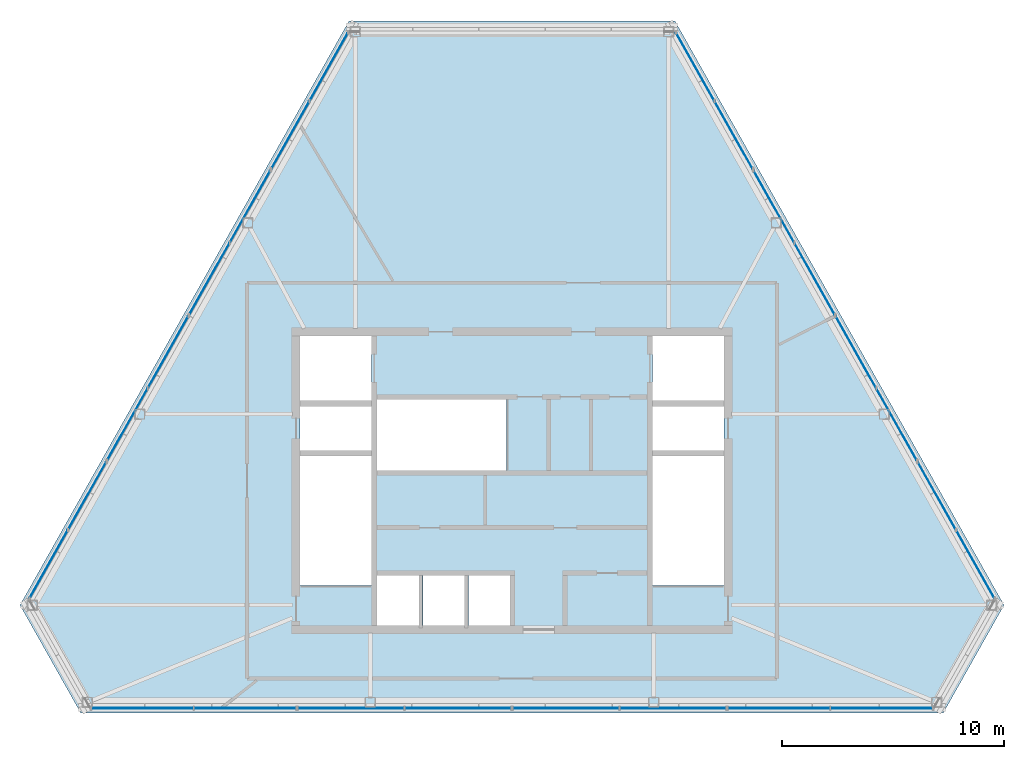
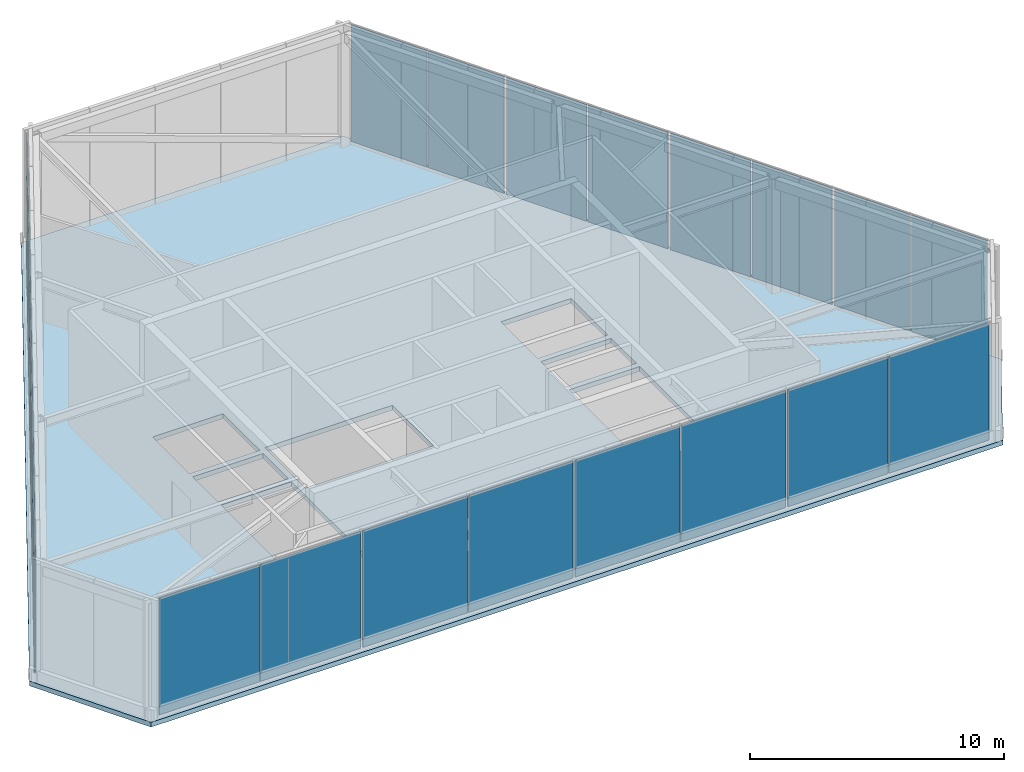
# One storey, part 6 of 11: 24 plates, 1 slab, 12 elements without a shape of their own.
"""IFC4 building model written with IfcOpenShell, lengths in metres."""

from ifc_helpers import new_model, si_unit, direction, frame, origin, origin_2d, place, context, subcontext, project, spatial, polyline, rectangle, outline, extrude, material, layer, layer_set, type_object, element, aggregate, save


model = new_model("IFC4")

# Units and contexts
model_context = context("Model", 3, precision=1e-05, world=origin(), true_north=direction((0.0, 1.0)))
body_context = subcontext(model_context, "Body", "Model", "MODEL_VIEW")
ifc_project = project(units=[si_unit("LENGTHUNIT", "METRE"), si_unit("AREAUNIT", "SQUARE_METRE"), si_unit("VOLUMEUNIT", "CUBIC_METRE"), si_unit("PLANEANGLEUNIT", "RADIAN"), si_unit("MASSUNIT", "GRAM", prefix="KILO")], contexts=[model_context])

# Site, building, storey
site_placement = place(None, origin())
site = spatial("IfcSite", under=ifc_project, at=site_placement, CompositionType="ELEMENT")
building_placement = place(site_placement, origin())
building = spatial("IfcBuilding", under=site, at=building_placement, Name="Kavelnor Concourse Tower", CompositionType="ELEMENT")
storey_placement = place(building_placement, frame((0.0, 0.0, 309.949951171875)))
storey = spatial("IfcBuildingStorey", under=building, at=storey_placement, Name="L78", CompositionType="ELEMENT", Elevation=309.949951171875)

# Curtain wall, plates
ifc_material_1 = material(Name="Anodised aluminium 6063-T6", Category="aluminium")
ifc_layer_1 = layer(ifc_material_1, 0.1650390625, Name="Anodised aluminium 6063-T6")
ifc_layer_set_1 = layer_set([ifc_layer_1], Name="Anodised aluminium 6063-T6")
curtain_wall_type = type_object("IfcCurtainWallType", Name="CW-CROWN-SCREEN", PredefinedType="NOTDEFINED", material=ifc_layer_set_1)
curtain_wall_1_placement = place(storey_placement, origin())
curtain_wall_1 = element("IfcCurtainWall", 1, at=curtain_wall_1_placement, inside=storey, type_object=curtain_wall_type, Name="L78 Crown Fritted Screen Curtain Wall E1-S1", PredefinedType="NOTDEFINED")
ifc_material_2 = material(Name="Double low-E argon insulated glazing", Category="glass")
ifc_layer_2 = layer(ifc_material_2, 0.028076171875, Name="Double low-E argon insulated glazing")
ifc_layer_set_2 = layer_set([ifc_layer_2], Name="Double low-E argon insulated glazing")
plate_type = type_object("IfcPlateType", Name="CW-CROWN-SCREEN-PANEL", PredefinedType="CURTAIN_PANEL", material=ifc_layer_set_2)
plate_1_placement = place(storey_placement, frame((29.766357421875, 34.70263671875, 0.06005859375), z_axis=(0.0, 0.0, 1.0), x_axis=(-0.490751690644, -0.871299476719, 0.0)))
plate_1 = element("IfcPlate", 2, at=plate_1_placement, type_object=plate_type, Name="L78 Crown Fritted Screen Curtain Wall E1-S1 Vision Panel 1", PredefinedType="CURTAIN_PANEL", context=body_context, shape_type="SweptSolid", body=[
    extrude(rectangle(XDim=3.4716796875, YDim=0.028076171875, at=origin_2d()), origin(), (0.0, 0.0, 1.0), 5.610107421875),
])
plate_2_placement = place(storey_placement, frame((28.0361328125, 31.630615234375, 0.06005859375), z_axis=(0.0, 0.0, 1.0), x_axis=(-0.490751690644, -0.871299476719, 0.0)))
plate_2 = element("IfcPlate", 3, at=plate_2_placement, type_object=plate_type, Name="L78 Crown Fritted Screen Curtain Wall E1-S1 Vision Panel 2", PredefinedType="CURTAIN_PANEL", context=body_context, shape_type="SweptSolid", body=[
    extrude(rectangle(XDim=3.4716796875, YDim=0.028076171875, at=origin_2d()), origin(), (0.0, 0.0, 1.0), 5.610107421875),
])
aggregate(curtain_wall_1, [plate_1, plate_2])

curtain_wall_2_placement = place(storey_placement, origin())
curtain_wall_2 = element("IfcCurtainWall", 4, at=curtain_wall_2_placement, inside=storey, type_object=curtain_wall_type, Name="L78 Crown Fritted Screen Curtain Wall E1-S2", PredefinedType="NOTDEFINED")
plate_3_placement = place(storey_placement, frame((26.2275390625, 28.41943359375, 0.06005859375), z_axis=(0.0, 0.0, 1.0), x_axis=(-0.490751690644, -0.871299476719, 0.0)))
plate_3 = element("IfcPlate", 5, at=plate_3_placement, type_object=plate_type, Name="L78 Crown Fritted Screen Curtain Wall E1-S2 Vision Panel 1", PredefinedType="CURTAIN_PANEL", context=body_context, shape_type="SweptSolid", body=[
    extrude(rectangle(XDim=3.671630859375, YDim=0.028076171875, at=origin_2d()), origin(), (0.0, 0.0, 1.0), 5.610107421875),
])
plate_4_placement = place(storey_placement, frame((24.399169921875, 25.173095703125, 0.06005859375), z_axis=(0.0, 0.0, 1.0), x_axis=(-0.490751690644, -0.871299476719, 0.0)))
plate_4 = element("IfcPlate", 6, at=plate_4_placement, type_object=plate_type, Name="L78 Crown Fritted Screen Curtain Wall E1-S2 Vision Panel 2", PredefinedType="CURTAIN_PANEL", context=body_context, shape_type="SweptSolid", body=[
    extrude(rectangle(XDim=3.671630859375, YDim=0.028076171875, at=origin_2d()), origin(), (0.0, 0.0, 1.0), 5.610107421875),
])
aggregate(curtain_wall_2, [plate_3, plate_4])

curtain_wall_3_placement = place(storey_placement, origin())
curtain_wall_3 = element("IfcCurtainWall", 7, at=curtain_wall_3_placement, inside=storey, type_object=curtain_wall_type, Name="L78 Crown Fritted Screen Curtain Wall E1-S3", PredefinedType="NOTDEFINED")
plate_5_placement = place(storey_placement, frame((22.54150390625, 21.874755859375, 0.06005859375), z_axis=(0.0, 0.0, 1.0), x_axis=(-0.490751690644, -0.871299476719, 0.0)))
plate_5 = element("IfcPlate", 8, at=plate_5_placement, type_object=plate_type, Name="L78 Crown Fritted Screen Curtain Wall E1-S3 Vision Panel 1", PredefinedType="CURTAIN_PANEL", context=body_context, shape_type="SweptSolid", body=[
    extrude(rectangle(XDim=3.671630859375, YDim=0.028076171875, at=origin_2d()), origin(), (0.0, 0.0, 1.0), 5.610107421875),
])
plate_6_placement = place(storey_placement, frame((20.713134765625, 18.62841796875, 0.06005859375), z_axis=(0.0, 0.0, 1.0), x_axis=(-0.490751690644, -0.871299476719, 0.0)))
plate_6 = element("IfcPlate", 9, at=plate_6_placement, type_object=plate_type, Name="L78 Crown Fritted Screen Curtain Wall E1-S3 Vision Panel 2", PredefinedType="CURTAIN_PANEL", context=body_context, shape_type="SweptSolid", body=[
    extrude(rectangle(XDim=3.671630859375, YDim=0.028076171875, at=origin_2d()), origin(), (0.0, 0.0, 1.0), 5.610107421875),
])
aggregate(curtain_wall_3, [plate_5, plate_6])

curtain_wall_4_placement = place(storey_placement, origin())
curtain_wall_4 = element("IfcCurtainWall", 10, at=curtain_wall_4_placement, inside=storey, type_object=curtain_wall_type, Name="L78 Crown Fritted Screen Curtain Wall E1-S4", PredefinedType="NOTDEFINED")
plate_7_placement = place(storey_placement, frame((18.904296875, 15.4169921875, 0.06005859375), z_axis=(0.0, 0.0, 1.0), x_axis=(-0.490751690644, -0.871299476719, 0.0)))
plate_7 = element("IfcPlate", 11, at=plate_7_placement, type_object=plate_type, Name="L78 Crown Fritted Screen Curtain Wall E1-S4 Vision Panel 1", PredefinedType="CURTAIN_PANEL", context=body_context, shape_type="SweptSolid", body=[
    extrude(rectangle(XDim=3.4716796875, YDim=0.028076171875, at=origin_2d()), origin(), (0.0, 0.0, 1.0), 5.610107421875),
])
plate_8_placement = place(storey_placement, frame((17.17431640625, 12.34521484375, 0.06005859375), z_axis=(0.0, 0.0, 1.0), x_axis=(-0.490751690644, -0.871299476719, 0.0)))
plate_8 = element("IfcPlate", 12, at=plate_8_placement, type_object=plate_type, Name="L78 Crown Fritted Screen Curtain Wall E1-S4 Vision Panel 2", PredefinedType="CURTAIN_PANEL", context=body_context, shape_type="SweptSolid", body=[
    extrude(rectangle(XDim=3.4716796875, YDim=0.028076171875, at=origin_2d()), origin(), (0.0, 0.0, 1.0), 5.610107421875),
])
aggregate(curtain_wall_4, [plate_7, plate_8])

curtain_wall_5_placement = place(storey_placement, origin())
curtain_wall_5 = element("IfcCurtainWall", 13, at=curtain_wall_5_placement, inside=storey, type_object=curtain_wall_type, Name="L78 Crown Fritted Screen Curtain Wall E3-S1", PredefinedType="NOTDEFINED")
plate_9_placement = place(storey_placement, frame((21.392333984375, 5.875, 0.06005859375), z_axis=(0.0, 0.0, 1.0), x_axis=(1.0, 0.0, 0.0)))
plate_9 = element("IfcPlate", 14, at=plate_9_placement, type_object=plate_type, Name="L78 Crown Fritted Screen Curtain Wall E3-S1 Vision Panel 1", PredefinedType="CURTAIN_PANEL", context=body_context, shape_type="SweptSolid", body=[
    extrude(rectangle(XDim=4.551025390625, YDim=0.028076171875, at=origin_2d()), origin(), (0.0, 0.0, 1.0), 5.610107421875),
])
plate_10_placement = place(storey_placement, frame((25.997314453125, 5.875, 0.06005859375), z_axis=(0.0, 0.0, 1.0), x_axis=(1.0, 0.0, 0.0)))
plate_10 = element("IfcPlate", 15, at=plate_10_placement, type_object=plate_type, Name="L78 Crown Fritted Screen Curtain Wall E3-S1 Vision Panel 2", PredefinedType="CURTAIN_PANEL", context=body_context, shape_type="SweptSolid", body=[
    extrude(rectangle(XDim=4.551025390625, YDim=0.028076171875, at=origin_2d()), origin(), (0.0, 0.0, 1.0), 5.610107421875),
])
aggregate(curtain_wall_5, [plate_9, plate_10])

curtain_wall_6_placement = place(storey_placement, origin())
curtain_wall_6 = element("IfcCurtainWall", 16, at=curtain_wall_6_placement, inside=storey, type_object=curtain_wall_type, Name="L78 Crown Fritted Screen Curtain Wall E3-S2", PredefinedType="NOTDEFINED")
plate_11_placement = place(storey_placement, frame((30.762451171875, 5.875, 0.06005859375), z_axis=(0.0, 0.0, 1.0), x_axis=(1.0, 0.0, 0.0)))
plate_11 = element("IfcPlate", 17, at=plate_11_placement, type_object=plate_type, Name="L78 Crown Fritted Screen Curtain Wall E3-S2 Vision Panel 1", PredefinedType="CURTAIN_PANEL", context=body_context, shape_type="SweptSolid", body=[
    extrude(rectangle(XDim=4.7509765625, YDim=0.028076171875, at=origin_2d()), origin(), (0.0, 0.0, 1.0), 5.610107421875),
])
plate_12_placement = place(storey_placement, frame((35.5673828125, 5.875, 0.06005859375), z_axis=(0.0, 0.0, 1.0), x_axis=(1.0, 0.0, 0.0)))
plate_12 = element("IfcPlate", 18, at=plate_12_placement, type_object=plate_type, Name="L78 Crown Fritted Screen Curtain Wall E3-S2 Vision Panel 2", PredefinedType="CURTAIN_PANEL", context=body_context, shape_type="SweptSolid", body=[
    extrude(rectangle(XDim=4.7509765625, YDim=0.028076171875, at=origin_2d()), origin(), (0.0, 0.0, 1.0), 5.610107421875),
])
aggregate(curtain_wall_6, [plate_11, plate_12])

curtain_wall_7_placement = place(storey_placement, origin())
curtain_wall_7 = element("IfcCurtainWall", 19, at=curtain_wall_7_placement, inside=storey, type_object=curtain_wall_type, Name="L78 Crown Fritted Screen Curtain Wall E3-S3", PredefinedType="NOTDEFINED")
plate_13_placement = place(storey_placement, frame((40.4326171875, 5.875, 0.06005859375), z_axis=(0.0, 0.0, 1.0), x_axis=(1.0, 0.0, 0.0)))
plate_13 = element("IfcPlate", 20, at=plate_13_placement, type_object=plate_type, Name="L78 Crown Fritted Screen Curtain Wall E3-S3 Vision Panel 1", PredefinedType="CURTAIN_PANEL", context=body_context, shape_type="SweptSolid", body=[
    extrude(rectangle(XDim=4.7509765625, YDim=0.028076171875, at=origin_2d()), origin(), (0.0, 0.0, 1.0), 5.610107421875),
])
plate_14_placement = place(storey_placement, frame((45.237548828125, 5.875, 0.06005859375), z_axis=(0.0, 0.0, 1.0), x_axis=(1.0, 0.0, 0.0)))
plate_14 = element("IfcPlate", 21, at=plate_14_placement, type_object=plate_type, Name="L78 Crown Fritted Screen Curtain Wall E3-S3 Vision Panel 2", PredefinedType="CURTAIN_PANEL", context=body_context, shape_type="SweptSolid", body=[
    extrude(rectangle(XDim=4.7509765625, YDim=0.028076171875, at=origin_2d()), origin(), (0.0, 0.0, 1.0), 5.610107421875),
])
aggregate(curtain_wall_7, [plate_13, plate_14])

curtain_wall_8_placement = place(storey_placement, origin())
curtain_wall_8 = element("IfcCurtainWall", 22, at=curtain_wall_8_placement, inside=storey, type_object=curtain_wall_type, Name="L78 Crown Fritted Screen Curtain Wall E3-S4", PredefinedType="NOTDEFINED")
plate_15_placement = place(storey_placement, frame((50.002685546875, 5.875, 0.06005859375), z_axis=(0.0, 0.0, 1.0), x_axis=(1.0, 0.0, 0.0)))
plate_15 = element("IfcPlate", 23, at=plate_15_placement, type_object=plate_type, Name="L78 Crown Fritted Screen Curtain Wall E3-S4 Vision Panel 1", PredefinedType="CURTAIN_PANEL", context=body_context, shape_type="SweptSolid", body=[
    extrude(rectangle(XDim=4.551025390625, YDim=0.028076171875, at=origin_2d()), origin(), (0.0, 0.0, 1.0), 5.610107421875),
])
plate_16_placement = place(storey_placement, frame((54.607666015625, 5.875, 0.06005859375), z_axis=(0.0, 0.0, 1.0), x_axis=(1.0, 0.0, 0.0)))
plate_16 = element("IfcPlate", 24, at=plate_16_placement, type_object=plate_type, Name="L78 Crown Fritted Screen Curtain Wall E3-S4 Vision Panel 2", PredefinedType="CURTAIN_PANEL", context=body_context, shape_type="SweptSolid", body=[
    extrude(rectangle(XDim=4.551025390625, YDim=0.028076171875, at=origin_2d()), origin(), (0.0, 0.0, 1.0), 5.610107421875),
])
aggregate(curtain_wall_8, [plate_15, plate_16])

curtain_wall_9_placement = place(storey_placement, origin())
curtain_wall_9 = element("IfcCurtainWall", 25, at=curtain_wall_9_placement, inside=storey, type_object=curtain_wall_type, Name="L78 Crown Fritted Screen Curtain Wall E5-S1", PredefinedType="NOTDEFINED")
plate_17_placement = place(storey_placement, frame((58.82568359375, 12.34521484375, 0.06005859375), z_axis=(0.0, 0.0, 1.0), x_axis=(-0.490751690644, 0.871299476719, 0.0)))
plate_17 = element("IfcPlate", 26, at=plate_17_placement, type_object=plate_type, Name="L78 Crown Fritted Screen Curtain Wall E5-S1 Vision Panel 1", PredefinedType="CURTAIN_PANEL", context=body_context, shape_type="SweptSolid", body=[
    extrude(rectangle(XDim=3.4716796875, YDim=0.028076171875, at=origin_2d()), origin(), (0.0, 0.0, 1.0), 5.610107421875),
])
plate_18_placement = place(storey_placement, frame((57.095703125, 15.4169921875, 0.06005859375), z_axis=(0.0, 0.0, 1.0), x_axis=(-0.490751690644, 0.871299476719, 0.0)))
plate_18 = element("IfcPlate", 27, at=plate_18_placement, type_object=plate_type, Name="L78 Crown Fritted Screen Curtain Wall E5-S1 Vision Panel 2", PredefinedType="CURTAIN_PANEL", context=body_context, shape_type="SweptSolid", body=[
    extrude(rectangle(XDim=3.4716796875, YDim=0.028076171875, at=origin_2d()), origin(), (0.0, 0.0, 1.0), 5.610107421875),
])
aggregate(curtain_wall_9, [plate_17, plate_18])

curtain_wall_10_placement = place(storey_placement, origin())
curtain_wall_10 = element("IfcCurtainWall", 28, at=curtain_wall_10_placement, inside=storey, type_object=curtain_wall_type, Name="L78 Crown Fritted Screen Curtain Wall E5-S2", PredefinedType="NOTDEFINED")
plate_19_placement = place(storey_placement, frame((55.286865234375, 18.62841796875, 0.06005859375), z_axis=(0.0, 0.0, 1.0), x_axis=(-0.490751690644, 0.871299476719, 0.0)))
plate_19 = element("IfcPlate", 29, at=plate_19_placement, type_object=plate_type, Name="L78 Crown Fritted Screen Curtain Wall E5-S2 Vision Panel 1", PredefinedType="CURTAIN_PANEL", context=body_context, shape_type="SweptSolid", body=[
    extrude(rectangle(XDim=3.671630859375, YDim=0.028076171875, at=origin_2d()), origin(), (0.0, 0.0, 1.0), 5.610107421875),
])
plate_20_placement = place(storey_placement, frame((53.45849609375, 21.874755859375, 0.06005859375), z_axis=(0.0, 0.0, 1.0), x_axis=(-0.490751690644, 0.871299476719, 0.0)))
plate_20 = element("IfcPlate", 30, at=plate_20_placement, type_object=plate_type, Name="L78 Crown Fritted Screen Curtain Wall E5-S2 Vision Panel 2", PredefinedType="CURTAIN_PANEL", context=body_context, shape_type="SweptSolid", body=[
    extrude(rectangle(XDim=3.671630859375, YDim=0.028076171875, at=origin_2d()), origin(), (0.0, 0.0, 1.0), 5.610107421875),
])
aggregate(curtain_wall_10, [plate_19, plate_20])

curtain_wall_11_placement = place(storey_placement, origin())
curtain_wall_11 = element("IfcCurtainWall", 31, at=curtain_wall_11_placement, inside=storey, type_object=curtain_wall_type, Name="L78 Crown Fritted Screen Curtain Wall E5-S3", PredefinedType="NOTDEFINED")
plate_21_placement = place(storey_placement, frame((51.600830078125, 25.173095703125, 0.06005859375), z_axis=(0.0, 0.0, 1.0), x_axis=(-0.490751690644, 0.871299476719, 0.0)))
plate_21 = element("IfcPlate", 32, at=plate_21_placement, type_object=plate_type, Name="L78 Crown Fritted Screen Curtain Wall E5-S3 Vision Panel 1", PredefinedType="CURTAIN_PANEL", context=body_context, shape_type="SweptSolid", body=[
    extrude(rectangle(XDim=3.671630859375, YDim=0.028076171875, at=origin_2d()), origin(), (0.0, 0.0, 1.0), 5.610107421875),
])
plate_22_placement = place(storey_placement, frame((49.7724609375, 28.41943359375, 0.06005859375), z_axis=(0.0, 0.0, 1.0), x_axis=(-0.490751690644, 0.871299476719, 0.0)))
plate_22 = element("IfcPlate", 33, at=plate_22_placement, type_object=plate_type, Name="L78 Crown Fritted Screen Curtain Wall E5-S3 Vision Panel 2", PredefinedType="CURTAIN_PANEL", context=body_context, shape_type="SweptSolid", body=[
    extrude(rectangle(XDim=3.671630859375, YDim=0.028076171875, at=origin_2d()), origin(), (0.0, 0.0, 1.0), 5.610107421875),
])
aggregate(curtain_wall_11, [plate_21, plate_22])

curtain_wall_12_placement = place(storey_placement, origin())
curtain_wall_12 = element("IfcCurtainWall", 34, at=curtain_wall_12_placement, inside=storey, type_object=curtain_wall_type, Name="L78 Crown Fritted Screen Curtain Wall E5-S4", PredefinedType="NOTDEFINED")
plate_23_placement = place(storey_placement, frame((47.9638671875, 31.630615234375, 0.06005859375), z_axis=(0.0, 0.0, 1.0), x_axis=(-0.490751690644, 0.871299476719, 0.0)))
plate_23 = element("IfcPlate", 35, at=plate_23_placement, type_object=plate_type, Name="L78 Crown Fritted Screen Curtain Wall E5-S4 Vision Panel 1", PredefinedType="CURTAIN_PANEL", context=body_context, shape_type="SweptSolid", body=[
    extrude(rectangle(XDim=3.4716796875, YDim=0.028076171875, at=origin_2d()), origin(), (0.0, 0.0, 1.0), 5.610107421875),
])
plate_24_placement = place(storey_placement, frame((46.233642578125, 34.70263671875, 0.06005859375), z_axis=(0.0, 0.0, 1.0), x_axis=(-0.490751690644, 0.871299476719, 0.0)))
plate_24 = element("IfcPlate", 36, at=plate_24_placement, type_object=plate_type, Name="L78 Crown Fritted Screen Curtain Wall E5-S4 Vision Panel 2", PredefinedType="CURTAIN_PANEL", context=body_context, shape_type="SweptSolid", body=[
    extrude(rectangle(XDim=3.4716796875, YDim=0.028076171875, at=origin_2d()), origin(), (0.0, 0.0, 1.0), 5.610107421875),
])
aggregate(curtain_wall_12, [plate_23, plate_24])

# Slab
ifc_material_3 = material(Name="Concrete C40/50", Category="concrete")
ifc_layer_3 = layer(ifc_material_3, 0.22998046875, Name="Concrete C40/50")
ifc_layer_set_3 = layer_set([ifc_layer_3], Name="Concrete C40/50")
slab_type = type_object("IfcSlabType", Name="SLB-PLANT-230", PredefinedType="FLOOR", material=ifc_layer_set_3)
slab_placement = place(storey_placement, frame((0.0, 0.0, -0.22998046875)))
element("IfcSlab", 37, at=slab_placement, inside=storey, type_object=slab_type, Name="L78 Composite Structural Floor Slab", PredefinedType="FLOOR", context=body_context, shape_type="SweptSolid", body=[
    extrude(outline(polyline([(45.32958984375, 36.756103515625), (30.67041015625, 36.756103515625), (15.88671875, 10.507568359375), (18.619873046875, 5.655029296875), (57.380126953125, 5.655029296875), (60.11328125, 10.507568359375), (45.32958984375, 36.756103515625)]), holes=[polyline([(28.47998046875, 11.3798828125), (31.679931640625, 11.3798828125), (31.679931640625, 17.199951171875), (28.47998046875, 17.199951171875), (28.47998046875, 11.3798828125)]), polyline([(44.320068359375, 11.3798828125), (47.52001953125, 11.3798828125), (47.52001953125, 17.199951171875), (44.320068359375, 17.199951171875), (44.320068359375, 11.3798828125)]), polyline([(31.93994140625, 16.56005859375), (37.760009765625, 16.56005859375), (37.760009765625, 19.760009765625), (31.93994140625, 19.760009765625), (31.93994140625, 16.56005859375)]), polyline([(28.47998046875, 19.699951171875), (31.679931640625, 19.699951171875), (31.679931640625, 22.60009765625), (28.47998046875, 22.60009765625), (28.47998046875, 19.699951171875)]), polyline([(44.320068359375, 19.699951171875), (47.52001953125, 19.699951171875), (47.52001953125, 22.60009765625), (44.320068359375, 22.60009765625), (44.320068359375, 19.699951171875)]), polyline([(31.93994140625, 9.60009765625), (33.81005859375, 9.60009765625), (33.81005859375, 11.840087890625), (31.93994140625, 11.840087890625), (31.93994140625, 9.60009765625)]), polyline([(33.989990234375, 9.60009765625), (35.860107421875, 9.60009765625), (35.860107421875, 11.840087890625), (33.989990234375, 11.840087890625), (33.989990234375, 9.60009765625)]), polyline([(36.0400390625, 9.60009765625), (37.909912109375, 9.60009765625), (37.909912109375, 11.840087890625), (36.0400390625, 11.840087890625), (36.0400390625, 9.60009765625)]), polyline([(28.47998046875, 17.4599609375), (31.679931640625, 17.4599609375), (31.679931640625, 19.43994140625), (28.47998046875, 19.43994140625), (28.47998046875, 17.4599609375)]), polyline([(44.320068359375, 17.4599609375), (47.52001953125, 17.4599609375), (47.52001953125, 19.43994140625), (44.320068359375, 19.43994140625), (44.320068359375, 17.4599609375)])]), origin(), (0.0, 0.0, 1.0), 0.22998046875),
])

save(model, "model.ifc")
